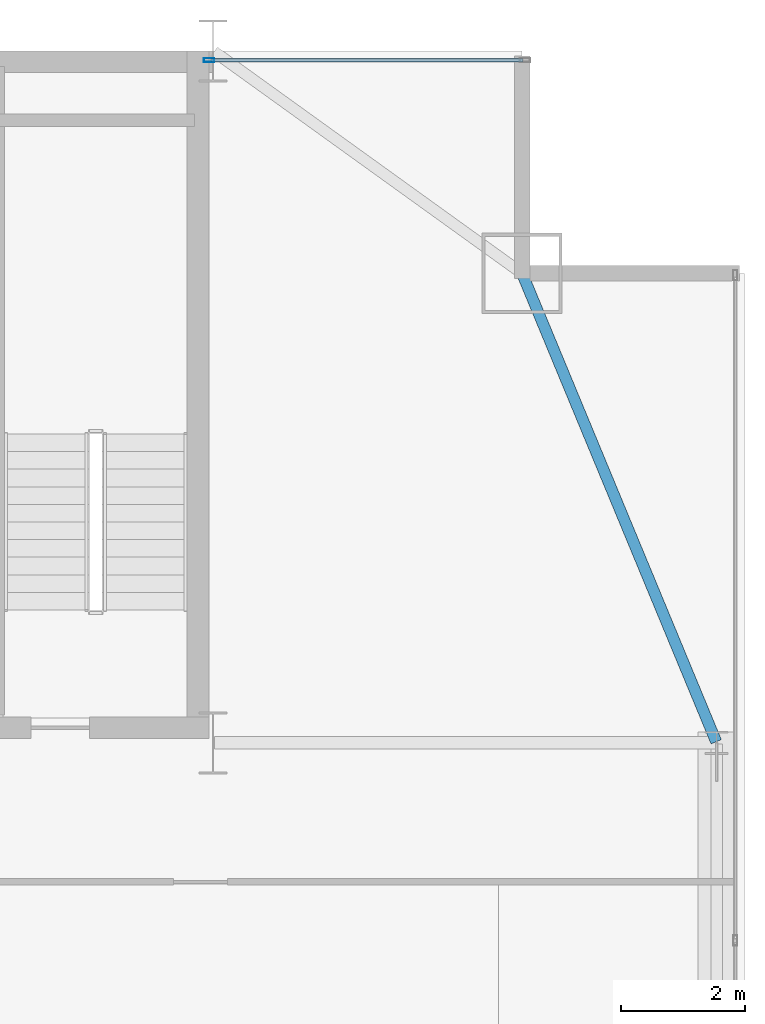
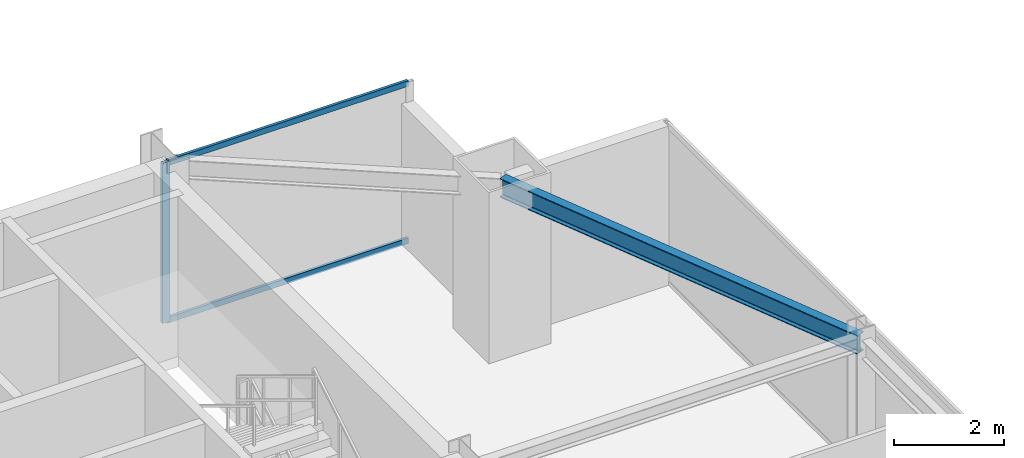
# One storey, part 24 of 34: 3 members, 1 beam, 1 element without a shape of its own.
"""IFC4 building model written with IfcOpenShell, lengths in metres."""

from ifc_helpers import new_model, si_unit, direction, frame, origin, origin_2d, place, context, subcontext, project, spatial, hollow_rectangle, i_section, extrude, source, transform, mapped, material, layer, layer_set, material_profile, profile_set, type_object, type_shapes, element, aggregate, save


model = new_model("IFC4")

# Units and contexts
model_context = context("Model", 3, precision=1e-05, world=origin(), true_north=direction((0.0, 1.0)))
body_context = subcontext(model_context, "Body", "Model", "MODEL_VIEW")
ifc_project = project(units=[si_unit("LENGTHUNIT", "METRE"), si_unit("AREAUNIT", "SQUARE_METRE"), si_unit("VOLUMEUNIT", "CUBIC_METRE"), si_unit("PLANEANGLEUNIT", "RADIAN"), si_unit("MASSUNIT", "GRAM", prefix="KILO")], contexts=[model_context])

# Site, building, storey
site_placement = place(None, origin())
site = spatial("IfcSite", under=ifc_project, at=site_placement, CompositionType="ELEMENT")
building_placement = place(site_placement, origin())
building = spatial("IfcBuilding", under=site, at=building_placement, Name="Varnel Quay Broadcast Tower", CompositionType="ELEMENT")
storey_placement = place(building_placement, frame((0.0, 0.0, 176.199951171875)))
storey = spatial("IfcBuildingStorey", under=building, at=storey_placement, Name="L43", CompositionType="ELEMENT", Elevation=176.199951171875)

# Beam
ifc_material_1 = material(Name="Structural Steel CSA G40.21 350W", Category="steel")
ifc_material_profile_1 = material_profile(ifc_material_1, i_section(OverallWidth=0.180908203125, OverallDepth=0.4169921875, WebThickness=0.010986328125, FlangeThickness=0.018310546875, FilletRadius=0.011962890625, at=origin_2d()), Name="W410X85")
ifc_profile_set_1 = profile_set([ifc_material_profile_1], Name="Structural Steel CSA G40.21 350W")
beam_type = type_object("IfcBeamType", Name="Beam_W410X85", PredefinedType="SPANDREL", material=ifc_profile_set_1)
shared_shape_1 = source(origin(), body_context, "Body", "SweptSolid", [
    extrude(i_section(OverallWidth=0.180908203125, OverallDepth=0.4169921875, WebThickness=0.010986328125, FlangeThickness=0.018310546875, FilletRadius=0.011962890625, at=origin_2d()), origin(), (0.0, 0.0, 1.0), 8.186767578125),
])
type_shapes(beam_type, [shared_shape_1])
beam_placement = place(storey_placement, frame((60.542236328125, 35.618408203125, 3.341552734375), z_axis=(-0.382874132092, 0.923800519038, 0.0), x_axis=(-0.923800519038, -0.382874132092, 0.0)))
element("IfcBeam", 1, at=beam_placement, inside=storey, type_object=beam_type, Name="L43 East Spandrel TC-E3-MC-NE", PredefinedType="SPANDREL", context=body_context, shape_type="MappedRepresentation", body=[
    mapped(shared_shape_1, transform((0.0, 0.0, 0.0), x_axis=(1.0, 0.0, 0.0), y_axis=(0.0, 1.0, 0.0), z_axis=(0.0, 0.0, 1.0), scale=1.0)),
])

# Curtain wall, members
ifc_material_2 = material(Name="Anodised Bronze Aluminium 6063-T6", Category="aluminium")
ifc_layer = layer(ifc_material_2, 0.18994140625, Name="Anodised Bronze Aluminium 6063-T6")
ifc_layer_set = layer_set([ifc_layer], Name="Anodised Bronze Aluminium 6063-T6")
curtain_wall_type = type_object("IfcCurtainWallType", Name="CW_UpperTower", PredefinedType="NOTDEFINED", material=ifc_layer_set)
curtain_wall_placement = place(storey_placement, origin())
curtain_wall = element("IfcCurtainWall", 2, at=curtain_wall_placement, inside=storey, type_object=curtain_wall_type, Name="L43 NE Wing Curtain Wall", PredefinedType="NOTDEFINED")
ifc_material_profile_2 = material_profile(ifc_material_2, hollow_rectangle(XDim=0.06494140625, YDim=0.1650390625, WallThickness=0.00341796875, at=origin_2d()), Name="ALU65X165X3.5")
ifc_profile_set_2 = profile_set([ifc_material_profile_2], Name="Anodised Bronze Aluminium 6063-T6")
member_type_1 = type_object("IfcMemberType", Name="Mull_CWS-03", PredefinedType="MULLION", material=ifc_profile_set_2)
shared_shape_2 = source(origin(), body_context, "Body", "SweptSolid", [
    extrude(hollow_rectangle(XDim=0.06494140625, YDim=0.1650390625, WallThickness=0.00341796875, at=origin_2d()), origin(), (0.0, 0.0, 1.0), 3.550048828125),
])
type_shapes(member_type_1, [shared_shape_2])
member_1_placement = place(storey_placement, frame((52.33251953125, 46.64990234375, 0.0), z_axis=(0.0, 0.0, 1.0), x_axis=(0.0, 1.0, 0.0)))
member_1 = element("IfcMember", 3, at=member_1_placement, type_object=member_type_1, Name="CWS-03 mullion 1", PredefinedType="MULLION", context=body_context, shape_type="MappedRepresentation", body=[
    mapped(shared_shape_2, transform((0.0, 0.0, 0.0), x_axis=(1.0, 0.0, 0.0), y_axis=(0.0, 1.0, 0.0), z_axis=(0.0, 0.0, 1.0), scale=1.0)),
])
ifc_material_profile_3 = material_profile(ifc_material_2, hollow_rectangle(XDim=0.06005859375, YDim=0.125, WallThickness=0.0029296875, at=origin_2d()), Name="ALU60X125X3")
ifc_profile_set_3 = profile_set([ifc_material_profile_3], Name="Anodised Bronze Aluminium 6063-T6")
member_type_2 = type_object("IfcMemberType", Name="Tran_CWS-03", PredefinedType="USERDEFINED", material=ifc_profile_set_3)
shared_shape_3 = source(origin(), body_context, "Body", "SweptSolid", [
    extrude(hollow_rectangle(XDim=0.06005859375, YDim=0.125, WallThickness=0.0029296875, at=origin_2d()), origin(), (0.0, 0.0, 1.0), 5.050048828125),
])
type_shapes(member_type_2, [shared_shape_3])
member_2_placement = place(storey_placement, frame((52.364990234375, 46.64990234375, 0.030029296875), z_axis=(1.0, 0.0, 0.0), x_axis=(0.0, 1.0, 0.0)))
member_2 = element("IfcMember", 4, at=member_2_placement, type_object=member_type_2, Name="CWS-03 transom 1.1", ObjectType="TRANSOM", PredefinedType="USERDEFINED", context=body_context, shape_type="MappedRepresentation", body=[
    mapped(shared_shape_3, transform((0.0, 0.0, 0.0), x_axis=(1.0, 0.0, 0.0), y_axis=(0.0, 1.0, 0.0), z_axis=(0.0, 0.0, 1.0), scale=1.0)),
])
member_3_placement = place(storey_placement, frame((52.364990234375, 46.64990234375, 3.52001953125), z_axis=(1.0, 0.0, 0.0), x_axis=(0.0, 1.0, 0.0)))
member_3 = element("IfcMember", 5, at=member_3_placement, type_object=member_type_2, Name="CWS-03 transom 1.2", ObjectType="TRANSOM", PredefinedType="USERDEFINED", context=body_context, shape_type="MappedRepresentation", body=[
    mapped(shared_shape_3, transform((0.0, 0.0, 0.0), x_axis=(1.0, 0.0, 0.0), y_axis=(0.0, 1.0, 0.0), z_axis=(0.0, 0.0, 1.0), scale=1.0)),
])
aggregate(curtain_wall, [member_1, member_2, member_3])

save(model, "model.ifc")
